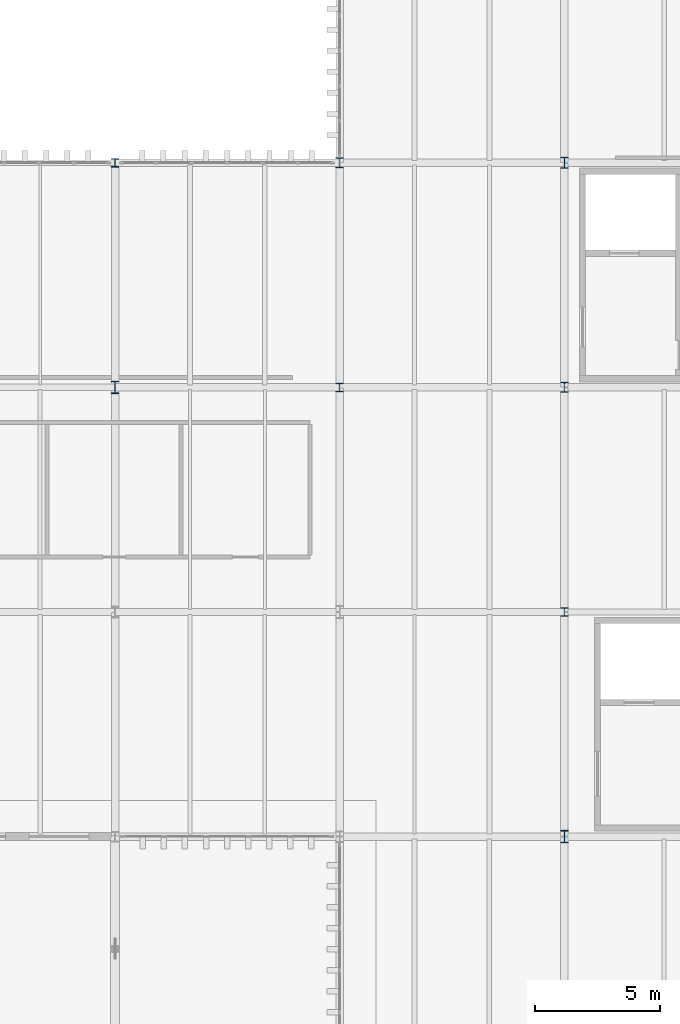
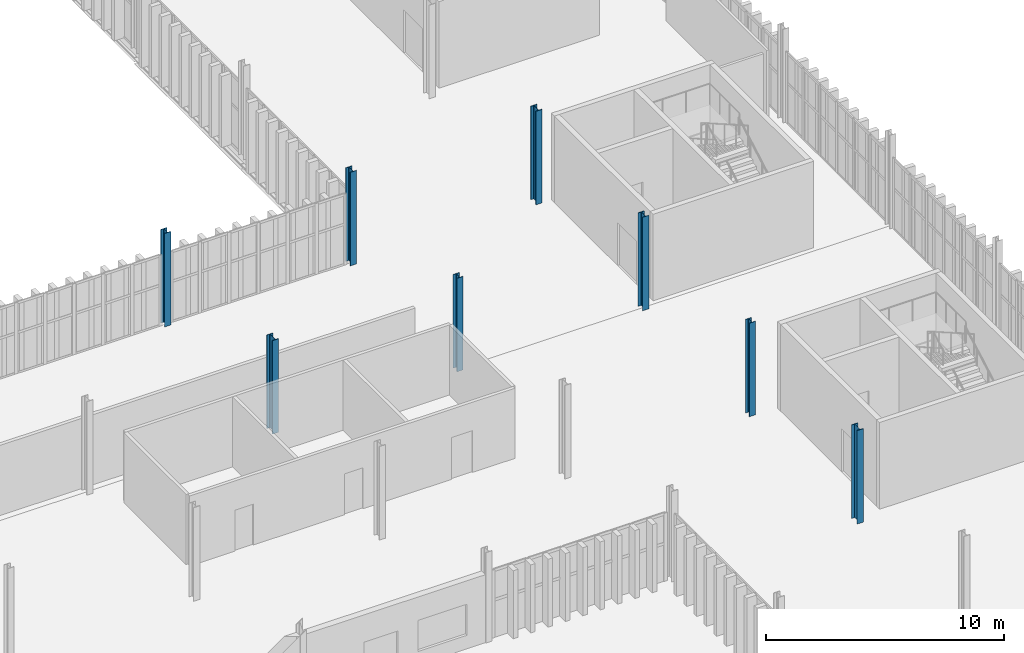
# One storey, part 10 of 196: 8 columns.
"""IFC4 building model written with IfcOpenShell, lengths in metres."""

from ifc_helpers import new_model, si_unit, direction, frame, origin, origin_2d, place, context, subcontext, project, spatial, i_section, extrude, material, material_profile, profile_set, type_object, element, save


model = new_model("IFC4")

# Units and contexts
model_context = context("Model", 3, precision=1e-05, world=origin(), true_north=direction((0.0, 1.0)))
body_context = subcontext(model_context, "Body", "Model", "MODEL_VIEW")
ifc_project = project(units=[si_unit("LENGTHUNIT", "METRE"), si_unit("AREAUNIT", "SQUARE_METRE"), si_unit("VOLUMEUNIT", "CUBIC_METRE"), si_unit("PLANEANGLEUNIT", "RADIAN"), si_unit("MASSUNIT", "GRAM", prefix="KILO")], contexts=[model_context])

# Site, building, storey
site_placement = place(None, origin())
site = spatial("IfcSite", under=ifc_project, at=site_placement, CompositionType="ELEMENT")
building_placement = place(site_placement, origin())
building = spatial("IfcBuilding", under=site, at=building_placement, Name="Barlavento Convention Centre", CompositionType="ELEMENT")
storey_placement = place(building_placement, frame((0.0, 0.0, 18.0)))
storey = spatial("IfcBuildingStorey", under=building, at=storey_placement, Name="L03", CompositionType="ELEMENT", Elevation=18.0)

# Columns
ifc_material = material(Name="Steel S355", Category="steel")
ifc_material_profile_1 = material_profile(ifc_material, i_section(OverallWidth=0.300048828125, OverallDepth=0.340087890625, WebThickness=0.011962890625, FlangeThickness=0.021484375, FilletRadius=0.027099609375, at=origin_2d()), Name="HEB 340")
ifc_profile_set_1 = profile_set([ifc_material_profile_1], Name="Steel S355")
column_type_1 = type_object("IfcColumnType", Name="STR-COL-HEB340", PredefinedType="COLUMN", material=ifc_profile_set_1)
for number, where, z_axis, x_axis, name in (
    (1, (162.0, 63.0, 0.0), (0.0, 0.0, 1.0), (1.0, 0.0, 0.0), "L03 column SC12"),
    (2, (171.0, 54.0, 0.0), (0.0, 0.0, 1.0), (1.0, 0.0, 0.0), "L03 column SC12"),
    (3, (180.0, 45.0, 0.0), (0.0, 0.0, 1.0), (1.0, 0.0, 0.0), "L03 column SC12"),
):
    element("IfcColumn", number, at=place(storey_placement, frame(where, z_axis=z_axis, x_axis=x_axis)), inside=storey, type_object=column_type_1, Name=name, PredefinedType="COLUMN", context=body_context, shape_type="SweptSolid", body=[
        extrude(i_section(OverallWidth=0.300048828125, OverallDepth=0.340087890625, WebThickness=0.011962890625, FlangeThickness=0.021484375, FilletRadius=0.027099609375, at=origin_2d()), origin(), (0.0, 0.0, 1.0), 4.800048828125),
    ])
ifc_material_profile_2 = material_profile(ifc_material, i_section(OverallWidth=0.300048828125, OverallDepth=0.39990234375, WebThickness=0.013427734375, FlangeThickness=0.02392578125, FilletRadius=0.027099609375, at=origin_2d()), Name="HEB 400")
ifc_profile_set_2 = profile_set([ifc_material_profile_2], Name="Steel S355")
column_type_2 = type_object("IfcColumnType", Name="STR-COL-HEB400", PredefinedType="COLUMN", material=ifc_profile_set_2)
for number, where, z_axis, x_axis, name in (
    (4, (171.0, 63.0, 0.0), (0.0, 0.0, 1.0), (1.0, 0.0, 0.0), "L03 column SC11"),
    (5, (180.0, 54.0, 0.0), (0.0, 0.0, 1.0), (1.0, 0.0, 0.0), "L03 column SC11"),
):
    element("IfcColumn", number, at=place(storey_placement, frame(where, z_axis=z_axis, x_axis=x_axis)), inside=storey, type_object=column_type_2, Name=name, PredefinedType="COLUMN", context=body_context, shape_type="SweptSolid", body=[
        extrude(i_section(OverallWidth=0.300048828125, OverallDepth=0.39990234375, WebThickness=0.013427734375, FlangeThickness=0.02392578125, FilletRadius=0.027099609375, at=origin_2d()), origin(), (0.0, 0.0, 1.0), 4.800048828125),
    ])
ifc_material_profile_3 = material_profile(ifc_material, i_section(OverallWidth=0.300048828125, OverallDepth=0.449951171875, WebThickness=0.013916015625, FlangeThickness=0.02587890625, FilletRadius=0.027099609375, at=origin_2d()), Name="HEB 450")
ifc_profile_set_3 = profile_set([ifc_material_profile_3], Name="Steel S355")
column_type_3 = type_object("IfcColumnType", Name="STR-COL-HEB450", PredefinedType="COLUMN", material=ifc_profile_set_3)
column_placement = place(storey_placement, frame((180.0, 63.0, 0.0), z_axis=(0.0, 0.0, 1.0), x_axis=(1.0, 0.0, 0.0)))
element("IfcColumn", 6, at=column_placement, inside=storey, type_object=column_type_3, Name="L03 column SC10", PredefinedType="COLUMN", context=body_context, shape_type="SweptSolid", body=[
    extrude(i_section(OverallWidth=0.300048828125, OverallDepth=0.449951171875, WebThickness=0.013916015625, FlangeThickness=0.02587890625, FilletRadius=0.027099609375, at=origin_2d()), origin(), (0.0, 0.0, 1.0), 4.800048828125),
])
ifc_material_profile_4 = material_profile(ifc_material, i_section(OverallWidth=0.300048828125, OverallDepth=0.5, WebThickness=0.014404296875, FlangeThickness=0.028076171875, FilletRadius=0.027099609375, at=origin_2d()), Name="HEB 500")
ifc_profile_set_4 = profile_set([ifc_material_profile_4], Name="Steel S355")
column_type_4 = type_object("IfcColumnType", Name="STR-COL-HEB500", PredefinedType="COLUMN", material=ifc_profile_set_4)
for number, where, z_axis, x_axis, name in (
    (7, (162.0, 54.0, 0.0), (0.0, 0.0, 1.0), (1.0, 0.0, 0.0), "L03 column SC09"),
    (8, (180.0, 36.0, 0.0), (0.0, 0.0, 1.0), (1.0, 0.0, 0.0), "L03 column SC09"),
):
    element("IfcColumn", number, at=place(storey_placement, frame(where, z_axis=z_axis, x_axis=x_axis)), inside=storey, type_object=column_type_4, Name=name, PredefinedType="COLUMN", context=body_context, shape_type="SweptSolid", body=[
        extrude(i_section(OverallWidth=0.300048828125, OverallDepth=0.5, WebThickness=0.014404296875, FlangeThickness=0.028076171875, FilletRadius=0.027099609375, at=origin_2d()), origin(), (0.0, 0.0, 1.0), 4.800048828125),
    ])

save(model, "model.ifc")
